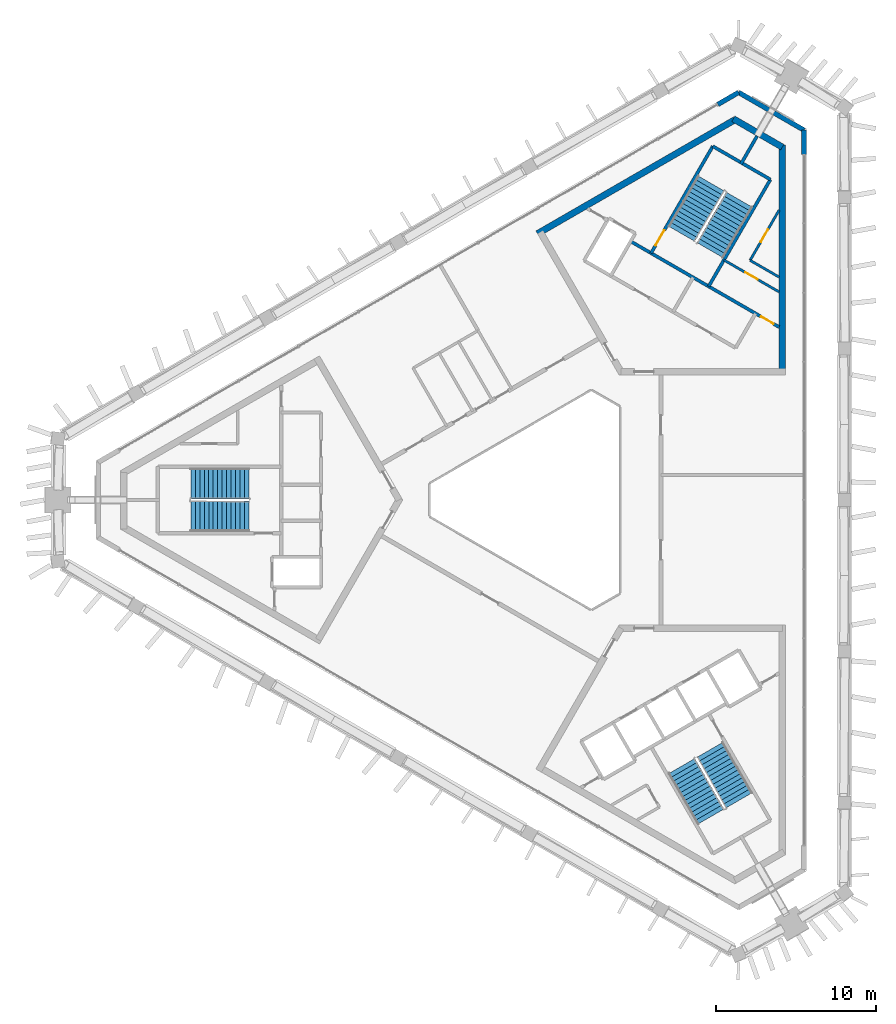
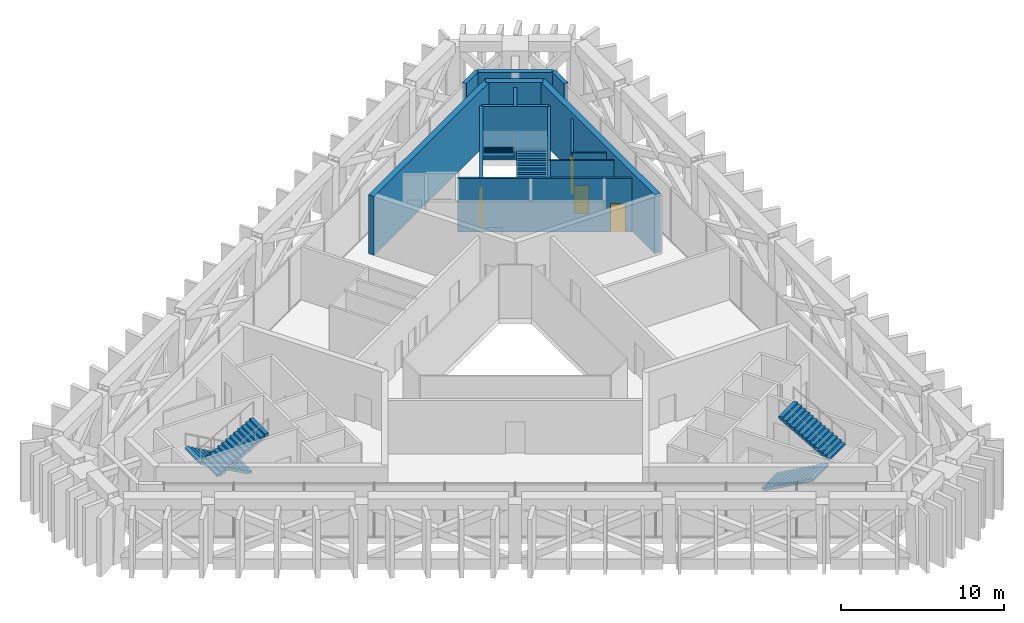
# One storey, part 10 of 12: 14 walls, 6 stair flights, 4 doors, 4 openings, 3 elements without a shape of their own.
"""IFC4 building model written with IfcOpenShell, lengths in metres."""

from ifc_helpers import new_model, si_unit, direction, frame, frame_2d, origin, place, context, subcontext, project, spatial, polyline, rectangle, outline, extrude, material, layer, layer_set, type_object, element, fill, aggregate, save


model = new_model("IFC4")

# Units and contexts
model_context = context("Model", 3, precision=1e-05, world=origin(), true_north=direction((0.0, 1.0)))
body_context = subcontext(model_context, "Body", "Model", "MODEL_VIEW")
ifc_project = project(units=[si_unit("LENGTHUNIT", "METRE"), si_unit("AREAUNIT", "SQUARE_METRE"), si_unit("VOLUMEUNIT", "CUBIC_METRE"), si_unit("PLANEANGLEUNIT", "RADIAN"), si_unit("MASSUNIT", "GRAM", prefix="KILO")], contexts=[model_context])

# Site, building, storey
site_placement = place(None, origin())
site = spatial("IfcSite", under=ifc_project, at=site_placement, CompositionType="ELEMENT")
building_placement = place(site_placement, origin())
building = spatial("IfcBuilding", under=site, at=building_placement, Name="Jabali Bay Hotel Tower and Convention Centre", CompositionType="ELEMENT")
storey_placement = place(building_placement, frame((0.0, 0.0, 300.39990234375)))
storey = spatial("IfcBuildingStorey", under=building, at=storey_placement, Name="L74", CompositionType="ELEMENT", Elevation=300.39990234375)

# Wall
ifc_material_1 = material(Name="Concrete C40", Category="concrete")
ifc_layer_1 = layer(ifc_material_1, 0.199951171875)
ifc_layer_set_1 = layer_set([ifc_layer_1], Name="Concrete C40")
wall_type_1 = type_object("IfcWallType", Name="Core partition wall 200", PredefinedType="PARTITIONING", material=ifc_layer_set_1)
wall_1_placement = place(storey_placement, frame((87.090087890625, 100.9404296875, 0.0), z_axis=(0.0, 0.0, 1.0), x_axis=(0.499941815747, 0.866058993873, 0.0)))
element("IfcWall", 1, at=wall_1_placement, inside=storey, type_object=wall_type_1, Name="Core wall 1.4 L74", PredefinedType="PARTITIONING", context=body_context, shape_type="SweptSolid", body=[
    extrude(rectangle(XDim=2.023193359375, YDim=0.199951171875, at=frame_2d((1.01171875, 0.0))), origin(), (0.0, 0.0, 1.0), 4.0),
])

# Wall, opening, door
ifc_material_2 = material(Name="Fire-rated board partition")
ifc_layer_2 = layer(ifc_material_2, 0.14990234375)
ifc_layer_set_2 = layer_set([ifc_layer_2], Name="Fire-rated board partition")
wall_type_2 = type_object("IfcWallType", Name="Core room partition 150", PredefinedType="PARTITIONING", material=ifc_layer_set_2)
wall_2_placement = place(storey_placement, frame((87.671142578125, 94.947021484375, 0.0), z_axis=(0.0, 0.0, 1.0), x_axis=(0.499993116331, 0.866029378036, 0.0)))
wall_2 = element("IfcWall", 2, at=wall_2_placement, inside=storey, type_object=wall_type_2, Name="Core wall 1.1 L74", PredefinedType="PARTITIONING", context=body_context, shape_type="SweptSolid", body=[
    extrude(rectangle(XDim=3.61767578125, YDim=0.14990234375, at=frame_2d((1.808837890625, 0.0))), origin(), (0.0, 0.0, 1.0), 4.0),
])
opening_1_placement = place(wall_2_placement, frame((1.33154296875, 0.0, 0.0)))
opening_1 = element("IfcOpeningElement", 3, at=opening_1_placement, cuts=wall_2, Name="Opening D1653", PredefinedType="OPENING", context=body_context, shape_type="SweptSolid", body=[
    extrude(rectangle(XDim=0.89990234375, YDim=2.10009765625, at=frame_2d((0.449951171875, 1.050048828125))), frame((0.0, 0.08544921875, 0.0), z_axis=(0.0, -1.0, 0.0), x_axis=(1.0, 0.0, 0.0)), (0.0, 0.0, 1.0), 0.1708984375),
])
ifc_material_3 = material(Name="Fire-rated steel door", Category="steel")
door_type_1 = type_object("IfcDoorType", Name="Core room door 900 x 2100", OperationType="NOTDEFINED", PredefinedType="NOTDEFINED", material=ifc_material_3)
door_1_placement = place(opening_1_placement, origin())
door_1 = element("IfcDoor", 4, at=door_1_placement, inside=storey, type_object=door_type_1, Name="Core room door D1653", OperationType="SINGLE_SWING_LEFT", OverallHeight=2.10009765625, OverallWidth=0.89990234375, PredefinedType="NOTDEFINED", context=body_context, shape_type="SweptSolid", body=[
    extrude(rectangle(XDim=0.89990234375, YDim=2.10009765625, at=frame_2d((0.449951171875, 1.050048828125))), frame((0.0, 0.02490234375, 0.0), z_axis=(0.0, -1.0, 0.0), x_axis=(1.0, 0.0, 0.0)), (0.0, 0.0, 1.0), 0.050048828125),
])
fill(opening_1, door_1)

wall_3_placement = place(storey_placement, frame((89.47998046875, 92.978759765625, 0.0), z_axis=(0.0, 0.0, 1.0), x_axis=(-0.866019912421, 0.500009511199, 0.0)))
wall_3 = element("IfcWall", 5, at=wall_3_placement, inside=storey, type_object=wall_type_2, Name="Core wall 1.12 L74", PredefinedType="PARTITIONING", context=body_context, shape_type="SweptSolid", body=[
    extrude(rectangle(XDim=3.9755859375, YDim=0.14990234375, at=frame_2d((1.98779296875, 0.0))), origin(), (0.0, 0.0, 1.0), 4.0),
])
opening_2_placement = place(wall_3_placement, frame((1.537841796875, 0.0, 0.0)))
opening_2 = element("IfcOpeningElement", 6, at=opening_2_placement, cuts=wall_3, Name="Opening D1649", PredefinedType="OPENING", context=body_context, shape_type="SweptSolid", body=[
    extrude(rectangle(XDim=0.89990234375, YDim=2.10009765625, at=frame_2d((0.449951171875, 1.050048828125))), frame((0.0, 0.08544921875, 0.0), z_axis=(0.0, -1.0, 0.0), x_axis=(1.0, 0.0, 0.0)), (0.0, 0.0, 1.0), 0.1708984375),
])
door_2_placement = place(opening_2_placement, origin())
door_2 = element("IfcDoor", 7, at=door_2_placement, inside=storey, type_object=door_type_1, Name="Core room door D1649", OperationType="SINGLE_SWING_RIGHT", OverallHeight=2.10009765625, OverallWidth=0.89990234375, PredefinedType="NOTDEFINED", context=body_context, shape_type="SweptSolid", body=[
    extrude(rectangle(XDim=0.89990234375, YDim=2.10009765625, at=frame_2d((0.449951171875, 1.050048828125))), frame((0.0, 0.02490234375, 0.0), z_axis=(0.0, -1.0, 0.0), x_axis=(1.0, 0.0, 0.0)), (0.0, 0.0, 1.0), 0.050048828125),
])
fill(opening_2, door_2)

# Walls
wall_4_placement = place(storey_placement, frame((89.47998046875, 93.902587890625, 0.0), z_axis=(0.0, 0.0, 1.0), x_axis=(-0.866004557827, 0.500036104519, 0.0)))
element("IfcWall", 8, at=wall_4_placement, inside=storey, type_object=wall_type_2, Name="Core wall 1.13 L74", PredefinedType="PARTITIONING", context=body_context, shape_type="SweptSolid", body=[
    extrude(rectangle(XDim=2.088623046875, YDim=0.14990234375, at=frame_2d((1.04443359375, 0.0))), origin(), (0.0, 0.0, 1.0), 4.0),
])
ifc_layer_3 = layer(ifc_material_1, 0.199951171875)
ifc_layer_set_3 = layer_set([ifc_layer_3], Name="Concrete C40")
wall_type_3 = type_object("IfcWallType", Name="Core stair wall 200", PredefinedType="SOLIDWALL", material=ifc_layer_set_3)
wall_5_placement = place(storey_placement, frame((85.0869140625, 93.3212890625, 0.0), z_axis=(0.0, 0.0, 1.0), x_axis=(0.500019787375, 0.866013979237, 0.0)))
element("IfcWall", 9, at=wall_5_placement, inside=storey, type_object=wall_type_3, Name="Core wall 1.2 L74", PredefinedType="SOLIDWALL", context=body_context, shape_type="SweptSolid", body=[
    extrude(rectangle(XDim=7.699951171875, YDim=0.199951171875, at=frame_2d((3.85009765625, 0.0))), origin(), (0.0, 0.0, 1.0), 4.0),
])

# Wall, opening, door
wall_6_placement = place(storey_placement, frame((81.492919921875, 95.396240234375, 0.0), z_axis=(0.0, 0.0, 1.0), x_axis=(0.500006057782, 0.866021906294, 0.0)))
wall_6 = element("IfcWall", 10, at=wall_6_placement, inside=storey, type_object=wall_type_3, Name="Core wall 1.5 L74", PredefinedType="SOLIDWALL", context=body_context, shape_type="SweptSolid", body=[
    extrude(rectangle(XDim=7.7001953125, YDim=0.199951171875, at=frame_2d((3.85009765625, 0.0))), origin(), (0.0, 0.0, 1.0), 4.0),
])
opening_3_placement = place(wall_6_placement, frame((0.550048828125, 0.0, 0.0)))
opening_3 = element("IfcOpeningElement", 11, at=opening_3_placement, cuts=wall_6, Name="Opening D1652", PredefinedType="OPENING", context=body_context, shape_type="SweptSolid", body=[
    extrude(rectangle(XDim=1.10009765625, YDim=2.10009765625, at=frame_2d((0.550048828125, 1.050048828125))), frame((0.0, 0.1103515625, 0.0), z_axis=(0.0, -1.0, 0.0), x_axis=(1.0, 0.0, 0.0)), (0.0, 0.0, 1.0), 0.220947265625),
])
door_type_2 = type_object("IfcDoorType", Name="Stair fire door 1100 x 2100", OperationType="NOTDEFINED", PredefinedType="NOTDEFINED", material=ifc_material_3)
door_3_placement = place(opening_3_placement, origin())
door_3 = element("IfcDoor", 12, at=door_3_placement, inside=storey, type_object=door_type_2, Name="Stair fire door D1652", OperationType="SINGLE_SWING_RIGHT", OverallHeight=2.10009765625, OverallWidth=1.10009765625, PredefinedType="NOTDEFINED", context=body_context, shape_type="SweptSolid", body=[
    extrude(rectangle(XDim=1.10009765625, YDim=2.10009765625, at=frame_2d((0.550048828125, 1.050048828125))), frame((0.0, 0.02490234375, 0.0), z_axis=(0.0, -1.0, 0.0), x_axis=(1.0, 0.0, 0.0)), (0.0, 0.0, 1.0), 0.050048828125),
])
fill(opening_3, door_3)

wall_7_placement = place(storey_placement, frame((89.47998046875, 90.784912109375, 0.0), z_axis=(0.0, 0.0, 1.0), x_axis=(-0.866022544512, 0.500004952373, 0.0)))
wall_7 = element("IfcWall", 13, at=wall_7_placement, inside=storey, type_object=wall_type_3, Name="Core wall 1.9 L74", PredefinedType="SOLIDWALL", context=body_context, shape_type="SweptSolid", body=[
    extrude(rectangle(XDim=10.69775390625, YDim=0.199951171875, at=frame_2d((5.348876953125, 0.0))), origin(), (0.0, 0.0, 1.0), 4.0),
])
opening_4_placement = place(wall_7_placement, frame((0.398681640625, 0.0, 0.0)))
opening_4 = element("IfcOpeningElement", 14, at=opening_4_placement, cuts=wall_7, Name="Opening D1651", PredefinedType="OPENING", context=body_context, shape_type="SweptSolid", body=[
    extrude(rectangle(XDim=0.89990234375, YDim=2.10009765625, at=frame_2d((0.449951171875, 1.050048828125))), frame((0.0, 0.1103515625, 0.0), z_axis=(0.0, -1.0, 0.0), x_axis=(1.0, 0.0, 0.0)), (0.0, 0.0, 1.0), 0.220947265625),
])
door_type_3 = type_object("IfcDoorType", Name="Vestibule fire door 900 x 2100", OperationType="NOTDEFINED", PredefinedType="NOTDEFINED", material=ifc_material_3)
door_4_placement = place(opening_4_placement, origin())
door_4 = element("IfcDoor", 15, at=door_4_placement, inside=storey, type_object=door_type_3, Name="Vestibule fire door D1651", OperationType="SINGLE_SWING_LEFT", OverallHeight=2.10009765625, OverallWidth=0.89990234375, PredefinedType="NOTDEFINED", context=body_context, shape_type="SweptSolid", body=[
    extrude(rectangle(XDim=0.89990234375, YDim=2.10009765625, at=frame_2d((0.449951171875, 1.050048828125))), frame((0.0, 0.02490234375, 0.0), z_axis=(0.0, -1.0, 0.0), x_axis=(1.0, 0.0, 0.0)), (0.0, 0.0, 1.0), 0.050048828125),
])
fill(opening_4, door_4)

# Walls
wall_8_placement = place(storey_placement, frame((88.93701171875, 99.989501953125, 0.0), z_axis=(0.0, 0.0, 1.0), x_axis=(-0.866004344652, 0.500036473714, 0.0)))
element("IfcWall", 16, at=wall_8_placement, inside=storey, type_object=wall_type_3, Name="Core wall 1.14 L74", PredefinedType="SOLIDWALL", context=body_context, shape_type="SweptSolid", body=[
    extrude(rectangle(XDim=4.150146484375, YDim=0.199951171875, at=frame_2d((2.0751953125, 0.0))), origin(), (0.0, 0.0, 1.0), 4.0),
])
ifc_material_4 = material(Name="Concrete C60", Category="concrete")
ifc_layer_4 = layer(ifc_material_4, 0.39990234375)
ifc_layer_set_4 = layer_set([ifc_layer_4], Name="Concrete C60")
wall_type_4 = type_object("IfcWallType", Name="Core wall 400", PredefinedType="SHEAR", material=ifc_layer_set_4)
wall_9_placement = place(storey_placement, frame((89.679931640625, 87.994140625, 0.0), z_axis=(0.0, 0.0, 1.0), x_axis=(0.0, 1.0, 0.0)))
element("IfcWall", 17, at=wall_9_placement, inside=storey, type_object=wall_type_4, Name="Core wall 2.2 L74", PredefinedType="SHEAR", context=body_context, shape_type="SweptSolid", body=[
    extrude(rectangle(XDim=14.133544921875, YDim=0.39990234375, at=frame_2d((7.06689453125, 0.0))), origin(), (0.0, 0.0, 1.0), 4.400146484375),
])
wall_10_placement = place(storey_placement, frame((89.679931640625, 102.01220703125, 0.0), z_axis=(0.0, 0.0, 1.0), x_axis=(-0.866025485263, 0.499999858875, 0.0)))
element("IfcWall", 18, at=wall_10_placement, inside=storey, type_object=wall_type_4, Name="Core wall 2.3 L74", PredefinedType="SHEAR", context=body_context, shape_type="SweptSolid", body=[
    extrude(rectangle(XDim=3.52978515625, YDim=0.39990234375, at=frame_2d((1.764892578125, 0.0))), origin(), (0.0, 0.0, 1.0), 4.400146484375),
])
wall_11_placement = place(storey_placement, frame((86.72314453125, 103.71923828125, 0.0), z_axis=(0.0, 0.0, 1.0), x_axis=(-0.866030317223, -0.499991489579, 0.0)))
element("IfcWall", 19, at=wall_11_placement, inside=storey, type_object=wall_type_4, Name="Core wall 2.4 L74", PredefinedType="SHEAR", context=body_context, shape_type="SweptSolid", body=[
    extrude(rectangle(XDim=14.218017578125, YDim=0.39990234375, at=frame_2d((7.10888671875, 0.0))), origin(), (0.0, 0.0, 1.0), 4.400146484375),
])
ifc_layer_5 = layer(ifc_material_1, 0.300048828125)
ifc_layer_set_5 = layer_set([ifc_layer_5], Name="Concrete C40")
wall_type_5 = type_object("IfcWallType", Name="External wall 300", PredefinedType="SOLIDWALL", material=ifc_layer_set_5)
wall_12_placement = place(storey_placement, frame((86.95458984375, 105.424560546875, 0.0), z_axis=(0.0, 0.0, 1.0), x_axis=(0.866018431725, -0.500012075767, 0.0)))
element("IfcWall", 20, at=wall_12_placement, inside=storey, type_object=wall_type_5, Name="External wall north-east chamfer L74", PredefinedType="SOLIDWALL", context=body_context, shape_type="SweptSolid", body=[
    extrude(rectangle(XDim=4.71875, YDim=0.300048828125, at=frame_2d((2.359375, 0.0))), origin(), (0.0, 0.0, 1.0), 4.0),
])
for number, where, z_axis, x_axis, name in (
    (21, (91.041015625, 103.065185546875, 0.0), (0.0, 0.0, 1.0), (0.0, -1.0, 0.0), "External wall east face L74"),
    (22, (85.655517578125, 104.674560546875, 0.0), (0.0, 0.0, 1.0), (0.866031096941, 0.499990139034, 0.0), "External wall north-west face L74"),
):
    element("IfcWall", number, at=place(storey_placement, frame(where, z_axis=z_axis, x_axis=x_axis)), inside=storey, type_object=wall_type_5, Name=name, PredefinedType="SOLIDWALL", context=body_context, shape_type="SweptSolid", body=[
        extrude(rectangle(XDim=1.5, YDim=0.300048828125, at=frame_2d((0.75, 0.0))), origin(), (0.0, 0.0, 1.0), 4.0),
    ])

# Stair, stair flights
stair_type = type_object("IfcStairType", Name="Exit stair 1900", PredefinedType="HALF_TURN_STAIR", material=ifc_material_1)
stair_1_placement = place(storey_placement, origin())
stair_1 = element("IfcStair", 23, at=stair_1_placement, inside=storey, type_object=stair_type, Name="L74 Exit Stair 1", PredefinedType="HALF_TURN_STAIR")
stair_flight_type = type_object("IfcStairFlightType", Name="Stair flight concrete 150", PredefinedType="STRAIGHT", material=ifc_material_1)
stair_flight_1_placement = place(storey_placement, frame((56.419921875, 81.02490234375, 0.0), z_axis=(0.0, 0.0, 1.0), x_axis=(-1.0, 0.0, 0.0)))
stair_flight_1 = element("IfcStairFlight", 24, at=stair_flight_1_placement, type_object=stair_flight_type, Name="ST1 flight 1", NumberOfRisers=14, NumberOfTreads=13, PredefinedType="STRAIGHT", RiserHeight=0.157142857, TreadLength=0.28, context=body_context, shape_type="SweptSolid", body=[
    extrude(outline(polyline([(0.0, 0.0), (0.0, 0.1572265625), (0.280029296875, 0.1572265625), (0.280029296875, 0.314208984375), (0.56005859375, 0.314208984375), (0.56005859375, 0.471435546875), (0.840087890625, 0.471435546875), (0.840087890625, 0.628662109375), (1.1201171875, 0.628662109375), (1.1201171875, 0.78564453125), (1.39990234375, 0.78564453125), (1.39990234375, 0.94287109375), (1.679931640625, 0.94287109375), (1.679931640625, 1.10009765625), (1.9599609375, 1.10009765625), (1.9599609375, 1.257080078125), (2.239990234375, 1.257080078125), (2.239990234375, 1.414306640625), (2.52001953125, 1.414306640625), (2.52001953125, 1.571533203125), (2.800048828125, 1.571533203125), (2.800048828125, 1.728515625), (3.080078125, 1.728515625), (3.080078125, 1.8857421875), (3.360107421875, 1.8857421875), (3.360107421875, 2.04296875), (3.639892578125, 2.04296875), (3.639892578125, 2.199951171875), (3.639892578125, 1.870849609375), (0.306396484375, 0.0), (0.0, 0.0)])), frame((0.0, 0.949951171875, 0.0), z_axis=(0.0, -1.0, 0.0), x_axis=(1.0, 0.0, 0.0)), (0.0, 0.0, 1.0), 1.89990234375),
])
stair_flight_2_placement = place(storey_placement, frame((52.780029296875, 78.97509765625, 2.2001953125), z_axis=(0.0, 0.0, 1.0), x_axis=(1.0, 0.0, 0.0)))
stair_flight_2 = element("IfcStairFlight", 25, at=stair_flight_2_placement, type_object=stair_flight_type, Name="ST1 flight 2", NumberOfRisers=14, NumberOfTreads=13, PredefinedType="STRAIGHT", RiserHeight=0.157142857, TreadLength=0.28, context=body_context, shape_type="SweptSolid", body=[
    extrude(outline(polyline([(0.0, 0.0), (0.0, 0.1572265625), (0.280029296875, 0.1572265625), (0.280029296875, 0.314208984375), (0.56005859375, 0.314208984375), (0.56005859375, 0.471435546875), (0.840087890625, 0.471435546875), (0.840087890625, 0.628662109375), (1.1201171875, 0.628662109375), (1.1201171875, 0.78564453125), (1.39990234375, 0.78564453125), (1.39990234375, 0.94287109375), (1.679931640625, 0.94287109375), (1.679931640625, 1.10009765625), (1.9599609375, 1.10009765625), (1.9599609375, 1.257080078125), (2.239990234375, 1.257080078125), (2.239990234375, 1.414306640625), (2.52001953125, 1.414306640625), (2.52001953125, 1.571533203125), (2.800048828125, 1.571533203125), (2.800048828125, 1.728515625), (3.080078125, 1.728515625), (3.080078125, 1.8857421875), (3.360107421875, 1.8857421875), (3.360107421875, 2.04296875), (3.639892578125, 2.04296875), (3.639892578125, 2.199951171875), (3.639892578125, 1.870849609375), (0.306396484375, 0.0), (0.0, 0.0)])), frame((0.0, 0.949951171875, 0.0), z_axis=(0.0, -1.0, 0.0), x_axis=(1.0, 0.0, 0.0)), (0.0, 0.0, 1.0), 1.89990234375),
])
aggregate(stair_1, [stair_flight_1, stair_flight_2])

stair_2_placement = place(storey_placement, origin())
stair_2 = element("IfcStair", 26, at=stair_2_placement, inside=storey, type_object=stair_type, Name="L74 Exit Stair 2", PredefinedType="HALF_TURN_STAIR")
stair_flight_3_placement = place(storey_placement, frame((85.177734375, 95.578369140625, 0.0), z_axis=(0.0, 0.0, 1.0), x_axis=(0.5, 0.866025403784, 0.0)))
stair_flight_3 = element("IfcStairFlight", 27, at=stair_flight_3_placement, type_object=stair_flight_type, Name="ST2 flight 1", NumberOfRisers=14, NumberOfTreads=13, PredefinedType="STRAIGHT", RiserHeight=0.157142857, TreadLength=0.28, context=body_context, shape_type="SweptSolid", body=[
    extrude(outline(polyline([(0.0, 0.0), (0.0, 0.1572265625), (0.280029296875, 0.1572265625), (0.280029296875, 0.314208984375), (0.56005859375, 0.314208984375), (0.56005859375, 0.471435546875), (0.840087890625, 0.471435546875), (0.840087890625, 0.628662109375), (1.1201171875, 0.628662109375), (1.1201171875, 0.78564453125), (1.39990234375, 0.78564453125), (1.39990234375, 0.94287109375), (1.679931640625, 0.94287109375), (1.679931640625, 1.10009765625), (1.9599609375, 1.10009765625), (1.9599609375, 1.257080078125), (2.239990234375, 1.257080078125), (2.239990234375, 1.414306640625), (2.52001953125, 1.414306640625), (2.52001953125, 1.571533203125), (2.800048828125, 1.571533203125), (2.800048828125, 1.728515625), (3.080078125, 1.728515625), (3.080078125, 1.8857421875), (3.360107421875, 1.8857421875), (3.360107421875, 2.04296875), (3.639892578125, 2.04296875), (3.639892578125, 2.199951171875), (3.639892578125, 1.870849609375), (0.306396484375, 0.0), (0.0, 0.0)])), frame((0.0, 0.949951171875, 0.0), z_axis=(0.0, -1.0, 0.0), x_axis=(1.0, 0.0, 0.0)), (0.0, 0.0, 1.0), 1.89990234375),
])
stair_flight_4_placement = place(storey_placement, frame((85.222412109375, 99.755615234375, 2.2001953125), z_axis=(0.0, 0.0, 1.0), x_axis=(-0.5, -0.866025403784, 0.0)))
stair_flight_4 = element("IfcStairFlight", 28, at=stair_flight_4_placement, type_object=stair_flight_type, Name="ST2 flight 2", NumberOfRisers=14, NumberOfTreads=13, PredefinedType="STRAIGHT", RiserHeight=0.157142857, TreadLength=0.28, context=body_context, shape_type="SweptSolid", body=[
    extrude(outline(polyline([(0.0, 0.0), (0.0, 0.1572265625), (0.280029296875, 0.1572265625), (0.280029296875, 0.314208984375), (0.56005859375, 0.314208984375), (0.56005859375, 0.471435546875), (0.840087890625, 0.471435546875), (0.840087890625, 0.628662109375), (1.1201171875, 0.628662109375), (1.1201171875, 0.78564453125), (1.39990234375, 0.78564453125), (1.39990234375, 0.94287109375), (1.679931640625, 0.94287109375), (1.679931640625, 1.10009765625), (1.9599609375, 1.10009765625), (1.9599609375, 1.257080078125), (2.239990234375, 1.257080078125), (2.239990234375, 1.414306640625), (2.52001953125, 1.414306640625), (2.52001953125, 1.571533203125), (2.800048828125, 1.571533203125), (2.800048828125, 1.728515625), (3.080078125, 1.728515625), (3.080078125, 1.8857421875), (3.360107421875, 1.8857421875), (3.360107421875, 2.04296875), (3.639892578125, 2.04296875), (3.639892578125, 2.199951171875), (3.639892578125, 1.870849609375), (0.306396484375, 0.0), (0.0, 0.0)])), frame((0.0, 0.949951171875, 0.0), z_axis=(0.0, -1.0, 0.0), x_axis=(1.0, 0.0, 0.0)), (0.0, 0.0, 1.0), 1.89990234375),
])
aggregate(stair_2, [stair_flight_3, stair_flight_4])

stair_3_placement = place(storey_placement, origin())
stair_3 = element("IfcStair", 29, at=stair_3_placement, inside=storey, type_object=stair_type, Name="L74 Exit Stair 3", PredefinedType="HALF_TURN_STAIR")
stair_flight_5_placement = place(storey_placement, frame((83.40234375, 63.396728515625, 0.0), z_axis=(0.0, 0.0, 1.0), x_axis=(0.5, -0.866025403784, 0.0)))
stair_flight_5 = element("IfcStairFlight", 30, at=stair_flight_5_placement, type_object=stair_flight_type, Name="ST3 flight 1", NumberOfRisers=14, NumberOfTreads=13, PredefinedType="STRAIGHT", RiserHeight=0.157142857, TreadLength=0.28, context=body_context, shape_type="SweptSolid", body=[
    extrude(outline(polyline([(0.0, 0.0), (0.0, 0.1572265625), (0.280029296875, 0.1572265625), (0.280029296875, 0.314208984375), (0.56005859375, 0.314208984375), (0.56005859375, 0.471435546875), (0.840087890625, 0.471435546875), (0.840087890625, 0.628662109375), (1.1201171875, 0.628662109375), (1.1201171875, 0.78564453125), (1.39990234375, 0.78564453125), (1.39990234375, 0.94287109375), (1.679931640625, 0.94287109375), (1.679931640625, 1.10009765625), (1.9599609375, 1.10009765625), (1.9599609375, 1.257080078125), (2.239990234375, 1.257080078125), (2.239990234375, 1.414306640625), (2.52001953125, 1.414306640625), (2.52001953125, 1.571533203125), (2.800048828125, 1.571533203125), (2.800048828125, 1.728515625), (3.080078125, 1.728515625), (3.080078125, 1.8857421875), (3.360107421875, 1.8857421875), (3.360107421875, 2.04296875), (3.639892578125, 2.04296875), (3.639892578125, 2.199951171875), (3.639892578125, 1.870849609375), (0.306396484375, 0.0), (0.0, 0.0)])), frame((0.0, 0.949951171875, 0.0), z_axis=(0.0, -1.0, 0.0), x_axis=(1.0, 0.0, 0.0)), (0.0, 0.0, 1.0), 1.89990234375),
])
stair_flight_6_placement = place(storey_placement, frame((86.99755859375, 61.26953125, 2.2001953125), z_axis=(0.0, 0.0, 1.0), x_axis=(-0.5, 0.866025403784, 0.0)))
stair_flight_6 = element("IfcStairFlight", 31, at=stair_flight_6_placement, type_object=stair_flight_type, Name="ST3 flight 2", NumberOfRisers=14, NumberOfTreads=13, PredefinedType="STRAIGHT", RiserHeight=0.157142857, TreadLength=0.28, context=body_context, shape_type="SweptSolid", body=[
    extrude(outline(polyline([(0.0, 0.0), (0.0, 0.1572265625), (0.280029296875, 0.1572265625), (0.280029296875, 0.314208984375), (0.56005859375, 0.314208984375), (0.56005859375, 0.471435546875), (0.840087890625, 0.471435546875), (0.840087890625, 0.628662109375), (1.1201171875, 0.628662109375), (1.1201171875, 0.78564453125), (1.39990234375, 0.78564453125), (1.39990234375, 0.94287109375), (1.679931640625, 0.94287109375), (1.679931640625, 1.10009765625), (1.9599609375, 1.10009765625), (1.9599609375, 1.257080078125), (2.239990234375, 1.257080078125), (2.239990234375, 1.414306640625), (2.52001953125, 1.414306640625), (2.52001953125, 1.571533203125), (2.800048828125, 1.571533203125), (2.800048828125, 1.728515625), (3.080078125, 1.728515625), (3.080078125, 1.8857421875), (3.360107421875, 1.8857421875), (3.360107421875, 2.04296875), (3.639892578125, 2.04296875), (3.639892578125, 2.199951171875), (3.639892578125, 1.870849609375), (0.306396484375, 0.0), (0.0, 0.0)])), frame((0.0, 0.949951171875, 0.0), z_axis=(0.0, -1.0, 0.0), x_axis=(1.0, 0.0, 0.0)), (0.0, 0.0, 1.0), 1.89990234375),
])
aggregate(stair_3, [stair_flight_5, stair_flight_6])

save(model, "model.ifc")
